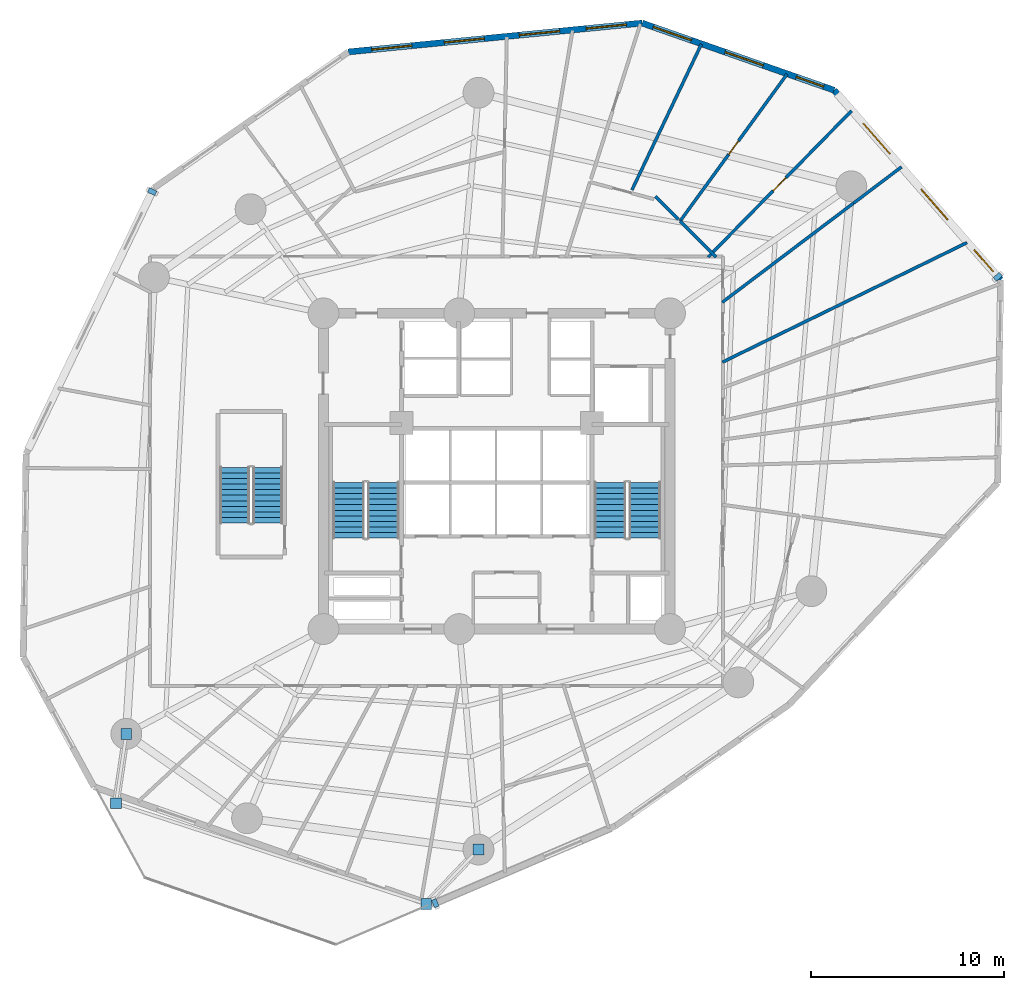
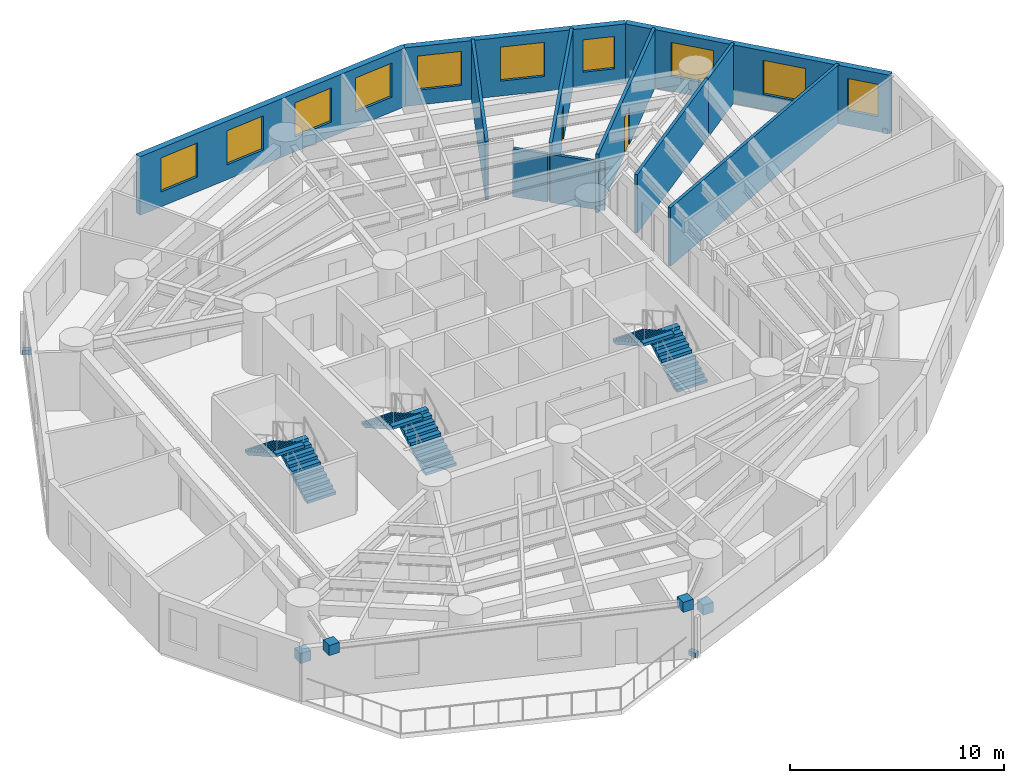
# One storey, part 7 of 11: 11 walls, 10 windows, 7 discrete accessories, 6 stair flights, 2 doors, 12 openings, 3 elements without a shape of their own.
"""IFC4 building model written with IfcOpenShell, lengths in metres."""

from ifc_helpers import new_model, si_unit, direction, frame, frame_2d, origin, origin_with_axes, origin_2d, place, context, subcontext, project, spatial, polyline, rectangle, outline, extrude, source, transform, mapped, material, layer, layer_set, type_object, element, fill, aggregate, save


model = new_model("IFC4")

# Units and contexts
model_context = context("Model", 3, precision=1e-05, world=origin(), true_north=direction((0.0, 1.0)))
body_context = subcontext(model_context, "Body", "Model", "MODEL_VIEW")
ifc_project = project(units=[si_unit("LENGTHUNIT", "METRE"), si_unit("AREAUNIT", "SQUARE_METRE"), si_unit("VOLUMEUNIT", "CUBIC_METRE"), si_unit("PLANEANGLEUNIT", "RADIAN"), si_unit("MASSUNIT", "GRAM", prefix="KILO")], contexts=[model_context])

# Site, building, storey
site_placement = place(None, origin())
site = spatial("IfcSite", under=ifc_project, at=site_placement, CompositionType="ELEMENT")
building_placement = place(site_placement, origin())
building = spatial("IfcBuilding", under=site, at=building_placement, Name="Karkom Vertical University and Central Library", CompositionType="ELEMENT")
storey_placement = place(building_placement, frame((0.0, 0.0, 44.5)))
storey = spatial("IfcBuildingStorey", under=building, at=storey_placement, Name="L11", CompositionType="ELEMENT", Elevation=44.5)

# Wall, openings, windows
ifc_material_1 = material(Name="Brick-faced precast concrete C45/55", Category="masonry")
ifc_layer_1 = layer(ifc_material_1, 0.320068359375)
ifc_layer_set_1 = layer_set([ifc_layer_1], Name="Brick-faced precast concrete C45/55")
wall_type_1 = type_object("IfcWallType", Name="ENV-WL-BRK-320", PredefinedType="SOLIDWALL", material=ifc_layer_set_1)
wall_1_placement = place(storey_placement, frame((54.673095703125, 36.43115234375, 0.0), z_axis=(0.0, 0.0, 1.0), x_axis=(-0.659567357533, 0.751645462221, 0.0)))
wall_1 = element("IfcWall", 1, at=wall_1_placement, inside=storey, type_object=wall_type_1, Name="Level 11 Brick-Faced Precast Facade Wall 09", PredefinedType="SOLIDWALL", context=body_context, shape_type="SweptSolid", body=[
    extrude(rectangle(XDim=13.11669921875, YDim=0.320068359375, at=frame_2d((6.558349609375, 0.0))), origin(), (0.0, 0.0, 1.0), 3.35009765625),
])
opening_1_placement = place(wall_1_placement, frame((0.5888671875, 0.0, 0.85009765625)))
opening_1 = element("IfcOpeningElement", 2, at=opening_1_placement, cuts=wall_1, Name="Opening WN-05", PredefinedType="OPENING", context=body_context, shape_type="SweptSolid", body=[
    extrude(rectangle(XDim=1.5, YDim=1.85009765625, at=frame_2d((0.75, 0.925048828125))), frame((0.0, 0.169921875, 0.0), z_axis=(0.0, -1.0, 0.0), x_axis=(1.0, 0.0, 0.0)), (0.0, 0.0, 1.0), 0.340087890625),
])
opening_2_placement = place(wall_1_placement, frame((4.166015625, 0.0, 0.85009765625)))
opening_2 = element("IfcOpeningElement", 3, at=opening_2_placement, cuts=wall_1, Name="Opening WN-03", PredefinedType="OPENING", context=body_context, shape_type="SweptSolid", body=[
    extrude(rectangle(XDim=2.10009765625, YDim=1.949951171875, at=frame_2d((1.050048828125, 0.97509765625))), frame((0.0, 0.169921875, 0.0), z_axis=(0.0, -1.0, 0.0), x_axis=(1.0, 0.0, 0.0)), (0.0, 0.0, 1.0), 0.340087890625),
])
opening_3_placement = place(wall_1_placement, frame((8.712158203125, 0.0, 0.85009765625)))
opening_3 = element("IfcOpeningElement", 4, at=opening_3_placement, cuts=wall_1, Name="Opening WN-03", PredefinedType="OPENING", context=body_context, shape_type="SweptSolid", body=[
    extrude(rectangle(XDim=2.10009765625, YDim=1.949951171875, at=frame_2d((1.050048828125, 0.97509765625))), frame((0.0, 0.169921875, 0.0), z_axis=(0.0, -1.0, 0.0), x_axis=(1.0, 0.0, 0.0)), (0.0, 0.0, 1.0), 0.340087890625),
])
ifc_material_2 = material(Name="Aluminium thermal-break frame with solar-control IGU", Category="aluminium")
window_type_1 = type_object("IfcWindowType", Name="ENV-WIN-WN-03", PartitioningType="SINGLE_PANEL", PredefinedType="WINDOW", material=ifc_material_2)
shared_shape_1 = source(origin_with_axes(), body_context, "Body", "SweptSolid", [
    extrude(rectangle(XDim=2.10009765625, YDim=1.949951171875, at=frame_2d((1.050048828125, 0.97509765625))), frame((0.0, 0.030029296875, 0.0), z_axis=(0.0, -1.0, 0.0), x_axis=(1.0, 0.0, 0.0)), (0.0, 0.0, 1.0), 0.06005859375),
])
window_1_placement = place(opening_2_placement, origin())
window_1 = element("IfcWindow", 5, at=window_1_placement, inside=storey, type_object=window_type_1, Name="Level 11 Punched Window 9.2", OverallHeight=1.949951171875, OverallWidth=2.10009765625, PartitioningType="SINGLE_PANEL", PredefinedType="WINDOW", context=body_context, shape_type="MappedRepresentation", body=[
    mapped(shared_shape_1, transform((0.0, 0.0, 0.0), scale=1.0)),
])
fill(opening_2, window_1)
window_2_placement = place(opening_3_placement, origin())
window_2 = element("IfcWindow", 6, at=window_2_placement, inside=storey, type_object=window_type_1, Name="Level 11 Punched Window 9.3", OverallHeight=1.949951171875, OverallWidth=2.10009765625, PartitioningType="SINGLE_PANEL", PredefinedType="WINDOW", context=body_context, shape_type="MappedRepresentation", body=[
    mapped(shared_shape_1, transform((0.0, 0.0, 0.0), scale=1.0)),
])
fill(opening_3, window_2)
window_type_2 = type_object("IfcWindowType", Name="ENV-WIN-WN-05", PartitioningType="SINGLE_PANEL", PredefinedType="WINDOW", material=ifc_material_2)
shared_shape_2 = source(origin_with_axes(), body_context, "Body", "SweptSolid", [
    extrude(rectangle(XDim=1.5, YDim=1.85009765625, at=frame_2d((0.75, 0.925048828125))), frame((0.0, 0.030029296875, 0.0), z_axis=(0.0, -1.0, 0.0), x_axis=(1.0, 0.0, 0.0)), (0.0, 0.0, 1.0), 0.06005859375),
])
window_3_placement = place(opening_1_placement, origin())
window_3 = element("IfcWindow", 7, at=window_3_placement, inside=storey, type_object=window_type_2, Name="Level 11 Punched Window 9.1", OverallHeight=1.85009765625, OverallWidth=1.5, PartitioningType="SINGLE_PANEL", PredefinedType="WINDOW", context=body_context, shape_type="MappedRepresentation", body=[
    mapped(shared_shape_2, transform((0.0, 0.0, 0.0), scale=1.0)),
])
fill(opening_1, window_3)

wall_2_placement = place(storey_placement, frame((46.021728515625, 46.290283203125, 0.0), z_axis=(0.0, 0.0, 1.0), x_axis=(-0.943970038145, 0.330031160777, 0.0)))
wall_2 = element("IfcWall", 8, at=wall_2_placement, inside=storey, type_object=wall_type_1, Name="Level 11 Brick-Faced Precast Facade Wall 10", PredefinedType="SOLIDWALL", context=body_context, shape_type="SweptSolid", body=[
    extrude(rectangle(XDim=10.559814453125, YDim=0.320068359375, at=frame_2d((5.27978515625, 0.0))), origin(), (0.0, 0.0, 1.0), 3.35009765625),
])
opening_4_placement = place(wall_2_placement, frame((0.576416015625, 0.0, 0.85009765625)))
opening_4 = element("IfcOpeningElement", 9, at=opening_4_placement, cuts=wall_2, Name="Opening WN-05", PredefinedType="OPENING", context=body_context, shape_type="SweptSolid", body=[
    extrude(rectangle(XDim=1.5, YDim=1.85009765625, at=frame_2d((0.75, 0.925048828125))), frame((0.0, 0.169921875, 0.0), z_axis=(0.0, -1.0, 0.0), x_axis=(1.0, 0.0, 0.0)), (0.0, 0.0, 1.0), 0.340087890625),
])
opening_5_placement = place(wall_2_placement, frame((3.89599609375, 0.0, 0.85009765625)))
opening_5 = element("IfcOpeningElement", 10, at=opening_5_placement, cuts=wall_2, Name="Opening WN-03", PredefinedType="OPENING", context=body_context, shape_type="SweptSolid", body=[
    extrude(rectangle(XDim=2.10009765625, YDim=1.949951171875, at=frame_2d((1.050048828125, 0.97509765625))), frame((0.0, 0.169921875, 0.0), z_axis=(0.0, -1.0, 0.0), x_axis=(1.0, 0.0, 0.0)), (0.0, 0.0, 1.0), 0.340087890625),
])
opening_6_placement = place(wall_2_placement, frame((7.849609375, 0.0, 0.85009765625)))
opening_6 = element("IfcOpeningElement", 11, at=opening_6_placement, cuts=wall_2, Name="Opening WN-03", PredefinedType="OPENING", context=body_context, shape_type="SweptSolid", body=[
    extrude(rectangle(XDim=2.10009765625, YDim=1.949951171875, at=frame_2d((1.050048828125, 0.97509765625))), frame((0.0, 0.169921875, 0.0), z_axis=(0.0, -1.0, 0.0), x_axis=(1.0, 0.0, 0.0)), (0.0, 0.0, 1.0), 0.340087890625),
])
window_4_placement = place(opening_5_placement, origin())
window_4 = element("IfcWindow", 12, at=window_4_placement, inside=storey, type_object=window_type_1, Name="Level 11 Punched Window 10.2", OverallHeight=1.949951171875, OverallWidth=2.10009765625, PartitioningType="SINGLE_PANEL", PredefinedType="WINDOW", context=body_context, shape_type="MappedRepresentation", body=[
    mapped(shared_shape_1, transform((0.0, 0.0, 0.0), scale=1.0)),
])
fill(opening_5, window_4)
window_5_placement = place(opening_6_placement, origin())
window_5 = element("IfcWindow", 13, at=window_5_placement, inside=storey, type_object=window_type_1, Name="Level 11 Punched Window 10.3", OverallHeight=1.949951171875, OverallWidth=2.10009765625, PartitioningType="SINGLE_PANEL", PredefinedType="WINDOW", context=body_context, shape_type="MappedRepresentation", body=[
    mapped(shared_shape_1, transform((0.0, 0.0, 0.0), scale=1.0)),
])
fill(opening_6, window_5)
window_6_placement = place(opening_4_placement, origin())
window_6 = element("IfcWindow", 14, at=window_6_placement, inside=storey, type_object=window_type_2, Name="Level 11 Punched Window 10.1", OverallHeight=1.85009765625, OverallWidth=1.5, PartitioningType="SINGLE_PANEL", PredefinedType="WINDOW", context=body_context, shape_type="MappedRepresentation", body=[
    mapped(shared_shape_2, transform((0.0, 0.0, 0.0), scale=1.0)),
])
fill(opening_4, window_6)

wall_3_placement = place(storey_placement, frame((36.053466796875, 49.775390625, 0.0), z_axis=(0.0, 0.0, 1.0), x_axis=(-0.995220186706, -0.097656438461, 0.0)))
wall_3 = element("IfcWall", 15, at=wall_3_placement, inside=storey, type_object=wall_type_1, Name="Level 11 Brick-Faced Precast Facade Wall 11", PredefinedType="SOLIDWALL", context=body_context, shape_type="SweptSolid", body=[
    extrude(rectangle(XDim=15.33740234375, YDim=0.320068359375, at=frame_2d((7.668701171875, 0.0))), origin(), (0.0, 0.0, 1.0), 3.35009765625),
])
opening_7_placement = place(wall_3_placement, frame((0.828369140625, 0.0, 0.85009765625)))
opening_7 = element("IfcOpeningElement", 16, at=opening_7_placement, cuts=wall_3, Name="Opening WN-03", PredefinedType="OPENING", context=body_context, shape_type="SweptSolid", body=[
    extrude(rectangle(XDim=2.10009765625, YDim=1.949951171875, at=frame_2d((1.050048828125, 0.97509765625))), frame((0.0, 0.169921875, 0.0), z_axis=(0.0, -1.0, 0.0), x_axis=(1.0, 0.0, 0.0)), (0.0, 0.0, 1.0), 0.340087890625),
])
opening_8_placement = place(wall_3_placement, frame((4.30908203125, 0.0, 0.85009765625)))
opening_8 = element("IfcOpeningElement", 17, at=opening_8_placement, cuts=wall_3, Name="Opening WN-03", PredefinedType="OPENING", context=body_context, shape_type="SweptSolid", body=[
    extrude(rectangle(XDim=2.10009765625, YDim=1.949951171875, at=frame_2d((1.050048828125, 0.97509765625))), frame((0.0, 0.169921875, 0.0), z_axis=(0.0, -1.0, 0.0), x_axis=(1.0, 0.0, 0.0)), (0.0, 0.0, 1.0), 0.340087890625),
])
opening_9_placement = place(wall_3_placement, frame((8.23388671875, 0.0, 0.85009765625)))
opening_9 = element("IfcOpeningElement", 18, at=opening_9_placement, cuts=wall_3, Name="Opening WN-03", PredefinedType="OPENING", context=body_context, shape_type="SweptSolid", body=[
    extrude(rectangle(XDim=2.10009765625, YDim=1.949951171875, at=frame_2d((1.050048828125, 0.97509765625))), frame((0.0, 0.169921875, 0.0), z_axis=(0.0, -1.0, 0.0), x_axis=(1.0, 0.0, 0.0)), (0.0, 0.0, 1.0), 0.340087890625),
])
opening_10_placement = place(wall_3_placement, frame((12.01611328125, 0.0, 0.85009765625)))
opening_10 = element("IfcOpeningElement", 19, at=opening_10_placement, cuts=wall_3, Name="Opening WN-03", PredefinedType="OPENING", context=body_context, shape_type="SweptSolid", body=[
    extrude(rectangle(XDim=2.10009765625, YDim=1.949951171875, at=frame_2d((1.050048828125, 0.97509765625))), frame((0.0, 0.169921875, 0.0), z_axis=(0.0, -1.0, 0.0), x_axis=(1.0, 0.0, 0.0)), (0.0, 0.0, 1.0), 0.340087890625),
])
window_7_placement = place(opening_7_placement, origin())
window_7 = element("IfcWindow", 20, at=window_7_placement, inside=storey, type_object=window_type_1, Name="Level 11 Punched Window 11.1", OverallHeight=1.949951171875, OverallWidth=2.10009765625, PartitioningType="SINGLE_PANEL", PredefinedType="WINDOW", context=body_context, shape_type="MappedRepresentation", body=[
    mapped(shared_shape_1, transform((0.0, 0.0, 0.0), scale=1.0)),
])
fill(opening_7, window_7)
window_8_placement = place(opening_8_placement, origin())
window_8 = element("IfcWindow", 21, at=window_8_placement, inside=storey, type_object=window_type_1, Name="Level 11 Punched Window 11.2", OverallHeight=1.949951171875, OverallWidth=2.10009765625, PartitioningType="SINGLE_PANEL", PredefinedType="WINDOW", context=body_context, shape_type="MappedRepresentation", body=[
    mapped(shared_shape_1, transform((0.0, 0.0, 0.0), scale=1.0)),
])
fill(opening_8, window_8)
window_9_placement = place(opening_9_placement, origin())
window_9 = element("IfcWindow", 22, at=window_9_placement, inside=storey, type_object=window_type_1, Name="Level 11 Punched Window 11.3", OverallHeight=1.949951171875, OverallWidth=2.10009765625, PartitioningType="SINGLE_PANEL", PredefinedType="WINDOW", context=body_context, shape_type="MappedRepresentation", body=[
    mapped(shared_shape_1, transform((0.0, 0.0, 0.0), scale=1.0)),
])
fill(opening_9, window_9)
window_10_placement = place(opening_10_placement, origin())
window_10 = element("IfcWindow", 23, at=window_10_placement, inside=storey, type_object=window_type_1, Name="Level 11 Punched Window 11.4", OverallHeight=1.949951171875, OverallWidth=2.10009765625, PartitioningType="SINGLE_PANEL", PredefinedType="WINDOW", context=body_context, shape_type="MappedRepresentation", body=[
    mapped(shared_shape_1, transform((0.0, 0.0, 0.0), scale=1.0)),
])
fill(opening_10, window_10)

# Wall
ifc_material_3 = material(Name="Insulated metal-stud drywall 160mm", Category="gypsum")
ifc_layer_2 = layer(ifc_material_3, 0.159912109375)
ifc_layer_set_2 = layer_set([ifc_layer_2], Name="Insulated metal-stud drywall 160mm")
wall_type_2 = type_object("IfcWallType", Name="INT-WL-COR-160", PredefinedType="PARTITIONING", material=ifc_layer_set_2)
wall_4_placement = place(storey_placement, frame((40.222900390625, 32.16259765625, 0.0), z_axis=(0.0, 0.0, 1.0), x_axis=(0.898436111138, 0.439104263477, 0.0)))
element("IfcWall", 24, at=wall_4_placement, inside=storey, type_object=wall_type_2, Name="Level 11 Interior Partition Wall L11-PW-022", PredefinedType="PARTITIONING", context=body_context, shape_type="SweptSolid", body=[
    extrude(rectangle(XDim=14.145751953125, YDim=0.159912109375, at=frame_2d((7.07275390625, 0.0))), origin(), (0.0, 0.0, 1.0), 3.35009765625),
])

# Wall, opening, door
wall_5_placement = place(storey_placement, frame((39.4794921875, 37.617919921875, 0.0), z_axis=(0.0, 0.0, 1.0), x_axis=(0.699936539368, 0.714205041187, 0.0)))
wall_5 = element("IfcWall", 25, at=wall_5_placement, inside=storey, type_object=wall_type_2, Name="Level 11 Interior Partition Wall L11-PW-025", PredefinedType="PARTITIONING", context=body_context, shape_type="SweptSolid", body=[
    extrude(rectangle(XDim=10.642822265625, YDim=0.159912109375, at=frame_2d((5.3212890625, 0.0))), origin(), (0.0, 0.0, 1.0), 3.35009765625),
])
opening_11_placement = place(wall_5_placement, frame((4.8212890625, 0.0, 0.0)))
opening_11 = element("IfcOpeningElement", 26, at=opening_11_placement, cuts=wall_5, Name="Opening D-RM1", PredefinedType="OPENING", context=body_context, shape_type="SweptSolid", body=[
    extrude(rectangle(XDim=0.949951171875, YDim=2.14990234375, at=frame_2d((0.47509765625, 1.074951171875))), frame((0.0, 0.08984375, 0.0), z_axis=(0.0, -1.0, 0.0), x_axis=(1.0, 0.0, 0.0)), (0.0, 0.0, 1.0), 0.179931640625),
])
ifc_material_4 = material(Name="Solid-core oak veneer door", Category="wood")
door_type_1 = type_object("IfcDoorType", Name="INT-DR-RM1", OperationType="NOTDEFINED", PredefinedType="DOOR", material=ifc_material_4)
shared_shape_3 = source(origin_with_axes(), body_context, "Body", "SweptSolid", [
    extrude(rectangle(XDim=0.949951171875, YDim=2.14990234375, at=frame_2d((0.47509765625, 1.074951171875))), frame((0.0, 0.02490234375, 0.0), z_axis=(0.0, -1.0, 0.0), x_axis=(1.0, 0.0, 0.0)), (0.0, 0.0, 1.0), 0.050048828125),
])
door_1_placement = place(opening_11_placement, origin())
door_1 = element("IfcDoor", 27, at=door_1_placement, inside=storey, type_object=door_type_1, Name="Level 11 Room Entry Door 200", OperationType="SINGLE_SWING_RIGHT", OverallHeight=2.14990234375, OverallWidth=0.949951171875, PredefinedType="DOOR", context=body_context, shape_type="MappedRepresentation", body=[
    mapped(shared_shape_3, transform((0.0, 0.0, 0.0), scale=1.0)),
])
fill(opening_11, door_1)

wall_6_placement = place(storey_placement, frame((38.025634765625, 39.490234375, 0.0), z_axis=(0.0, 0.0, 1.0), x_axis=(0.588360998561, 0.808598377053, 0.0)))
wall_6 = element("IfcWall", 28, at=wall_6_placement, inside=storey, type_object=wall_type_2, Name="Level 11 Interior Partition Wall L11-PW-026", PredefinedType="PARTITIONING", context=body_context, shape_type="SweptSolid", body=[
    extrude(rectangle(XDim=9.431396484375, YDim=0.159912109375, at=frame_2d((4.7158203125, 0.0))), origin(), (0.0, 0.0, 1.0), 3.35009765625),
])
opening_12_placement = place(wall_6_placement, frame((4.28564453125, 0.0, 0.0)))
opening_12 = element("IfcOpeningElement", 29, at=opening_12_placement, cuts=wall_6, Name="Opening FD-BTH2", PredefinedType="OPENING", context=body_context, shape_type="SweptSolid", body=[
    extrude(rectangle(XDim=0.860107421875, YDim=2.0400390625, at=frame_2d((0.43017578125, 1.02001953125))), frame((0.0, 0.08984375, 0.0), z_axis=(0.0, -1.0, 0.0), x_axis=(1.0, 0.0, 0.0)), (0.0, 0.0, 1.0), 0.179931640625),
])
ifc_material_5 = material(Name="Fire-rated moisture-resistant oak door", Category="wood")
door_type_2 = type_object("IfcDoorType", Name="INT-DR-FBTH2", OperationType="NOTDEFINED", PredefinedType="DOOR", material=ifc_material_5)
shared_shape_4 = source(origin_with_axes(), body_context, "Body", "SweptSolid", [
    extrude(rectangle(XDim=0.860107421875, YDim=2.0400390625, at=frame_2d((0.43017578125, 1.02001953125))), frame((0.0, 0.02490234375, 0.0), z_axis=(0.0, -1.0, 0.0), x_axis=(1.0, 0.0, 0.0)), (0.0, 0.0, 1.0), 0.050048828125),
])
door_2_placement = place(opening_12_placement, origin())
door_2 = element("IfcDoor", 30, at=door_2_placement, inside=storey, type_object=door_type_2, Name="Level 11 Faculty Consultation and Research Office Entry Door", OperationType="SINGLE_SWING_RIGHT", OverallHeight=2.0400390625, OverallWidth=0.860107421875, PredefinedType="DOOR", context=body_context, shape_type="MappedRepresentation", body=[
    mapped(shared_shape_4, transform((0.0, 0.0, 0.0), scale=1.0)),
])
fill(opening_12, door_2)

# Walls
wall_7_placement = place(storey_placement, frame((40.214111328125, 35.271484375, 0.0), z_axis=(0.0, 0.0, 1.0), x_axis=(0.797987752762, 0.602673664965, 0.0)))
element("IfcWall", 31, at=wall_7_placement, inside=storey, type_object=wall_type_2, Name="Level 11 Interior Partition Wall L11-PW-023", PredefinedType="PARTITIONING", context=body_context, shape_type="SweptSolid", body=[
    extrude(rectangle(XDim=8.5361328125, YDim=0.159912109375, at=frame_2d((4.26806640625, 0.0))), origin(), (0.0, 0.0, 1.0), 3.35009765625),
])
wall_8_placement = place(storey_placement, frame((35.520263671875, 41.101806640625, 0.0), z_axis=(0.0, 0.0, 1.0), x_axis=(0.429957308005, 0.902849219578, 0.0)))
element("IfcWall", 32, at=wall_8_placement, inside=storey, type_object=wall_type_2, Name="Level 11 Interior Partition Wall L11-PW-030", PredefinedType="PARTITIONING", context=body_context, shape_type="SweptSolid", body=[
    extrude(rectangle(XDim=8.387451171875, YDim=0.159912109375, at=frame_2d((4.19384765625, 0.0))), origin(), (0.0, 0.0, 1.0), 3.35009765625),
])
wall_9_placement = place(storey_placement, frame((39.897705078125, 37.6181640625, 0.0), z_axis=(0.0, 0.0, 1.0), x_axis=(-0.707106781187, 0.707106781187, 0.0)))
element("IfcWall", 33, at=wall_9_placement, inside=storey, type_object=wall_type_2, Name="Level 11 Interior Partition Wall L11-PW-027", PredefinedType="PARTITIONING", context=body_context, shape_type="SweptSolid", body=[
    extrude(rectangle(XDim=2.6474609375, YDim=0.159912109375, at=frame_2d((1.32373046875, 0.0))), origin(), (0.0, 0.0, 1.0), 2.75),
])
wall_10_placement = place(storey_placement, frame((47.02978515625, 40.4189453125, 0.0), z_axis=(0.0, 0.0, 1.0), x_axis=(0.798019150984, 0.602632088975, 0.0)))
element("IfcWall", 34, at=wall_10_placement, inside=storey, type_object=wall_type_2, Name="Level 11 Interior Partition Wall L11-PW-024", PredefinedType="PARTITIONING", context=body_context, shape_type="SweptSolid", body=[
    extrude(rectangle(XDim=3.12744140625, YDim=0.159912109375, at=frame_2d((1.563720703125, 0.0))), origin(), (0.0, 0.0, 1.0), 3.35009765625),
])
wall_11_placement = place(storey_placement, frame((37.93994140625, 39.576171875, 0.0), z_axis=(0.0, 0.0, 1.0), x_axis=(-0.707106781187, 0.707106781187, 0.0)))
element("IfcWall", 35, at=wall_11_placement, inside=storey, type_object=wall_type_2, Name="Level 11 Interior Partition Wall L11-PW-029", PredefinedType="PARTITIONING", context=body_context, shape_type="SweptSolid", body=[
    extrude(rectangle(XDim=1.69482421875, YDim=0.159912109375, at=frame_2d((0.847412109375, 0.0))), origin(), (0.0, 0.0, 1.0), 2.75),
])

# Stair, stair flights
ifc_material_6 = material(Name="Concrete C45/55", Category="concrete")
stair_type_1 = type_object("IfcStairType", Name="INT-STR-ST-MAIN", PredefinedType="HALF_TURN_STAIR", material=ifc_material_6)
stair_1_placement = place(storey_placement, origin())
stair_1 = element("IfcStair", 36, at=stair_1_placement, inside=storey, type_object=stair_type_1, Name="Level 11 Tower Protected Exit Stair ST-1", PredefinedType="HALF_TURN_STAIR")
stair_flight_type_1 = type_object("IfcStairFlightType", Name="INT-SFL-ST-MAIN", PredefinedType="STRAIGHT", material=ifc_material_6)
stair_flight_1_placement = place(storey_placement, frame((22.614990234375, 23.02001953125, 0.0), z_axis=(0.0, 0.0, 1.0), x_axis=(0.0, 1.0, 0.0)))
stair_flight_1 = element("IfcStairFlight", 37, at=stair_flight_1_placement, type_object=stair_flight_type_1, Name="ST-1 flight 1", NumberOfRisers=11, NumberOfTreads=10, PredefinedType="STRAIGHT", RiserHeight=0.163636364, TreadLength=0.29, context=body_context, shape_type="SweptSolid", body=[
    extrude(outline(polyline([(0.0, 0.0), (0.0, 0.16357421875), (0.2900390625, 0.16357421875), (0.2900390625, 0.327392578125), (0.580078125, 0.327392578125), (0.580078125, 0.490966796875), (0.8701171875, 0.490966796875), (0.8701171875, 0.654541015625), (1.159912109375, 0.654541015625), (1.159912109375, 0.818115234375), (1.449951171875, 0.818115234375), (1.449951171875, 0.98193359375), (1.739990234375, 0.98193359375), (1.739990234375, 1.1455078125), (2.030029296875, 1.1455078125), (2.030029296875, 1.30908203125), (2.320068359375, 1.30908203125), (2.320068359375, 1.47265625), (2.610107421875, 1.47265625), (2.610107421875, 1.636474609375), (2.89990234375, 1.636474609375), (2.89990234375, 1.800048828125), (2.89990234375, 1.46435546875), (0.304931640625, 0.0), (0.0, 0.0)])), frame((0.0, 0.824951171875, 0.0), z_axis=(0.0, -1.0, 0.0), x_axis=(1.0, 0.0, 0.0)), (0.0, 0.0, 1.0), 1.64990234375),
])
stair_flight_2_placement = place(storey_placement, frame((20.804931640625, 25.919921875, 1.800048828125), z_axis=(0.0, 0.0, 1.0), x_axis=(0.0, -1.0, 0.0)))
stair_flight_2 = element("IfcStairFlight", 38, at=stair_flight_2_placement, type_object=stair_flight_type_1, Name="ST-1 flight 2", NumberOfRisers=11, NumberOfTreads=10, PredefinedType="STRAIGHT", RiserHeight=0.163636364, TreadLength=0.29, context=body_context, shape_type="SweptSolid", body=[
    extrude(outline(polyline([(0.0, 0.0), (0.0, 0.16357421875), (0.2900390625, 0.16357421875), (0.2900390625, 0.327392578125), (0.580078125, 0.327392578125), (0.580078125, 0.490966796875), (0.8701171875, 0.490966796875), (0.8701171875, 0.654541015625), (1.159912109375, 0.654541015625), (1.159912109375, 0.818115234375), (1.449951171875, 0.818115234375), (1.449951171875, 0.98193359375), (1.739990234375, 0.98193359375), (1.739990234375, 1.1455078125), (2.030029296875, 1.1455078125), (2.030029296875, 1.30908203125), (2.320068359375, 1.30908203125), (2.320068359375, 1.47265625), (2.610107421875, 1.47265625), (2.610107421875, 1.636474609375), (2.89990234375, 1.636474609375), (2.89990234375, 1.800048828125), (2.89990234375, 1.46435546875), (0.304931640625, 0.0), (0.0, 0.0)])), frame((0.0, 0.824951171875, 0.0), z_axis=(0.0, -1.0, 0.0), x_axis=(1.0, 0.0, 0.0)), (0.0, 0.0, 1.0), 1.64990234375),
])
aggregate(stair_1, [stair_flight_1, stair_flight_2])

stair_2_placement = place(storey_placement, origin())
stair_2 = element("IfcStair", 39, at=stair_2_placement, inside=storey, type_object=stair_type_1, Name="Level 11 Tower Protected Exit Stair ST-2", PredefinedType="HALF_TURN_STAIR")
stair_flight_3_placement = place(storey_placement, frame((36.195068359375, 23.02001953125, 0.0), z_axis=(0.0, 0.0, 1.0), x_axis=(0.0, 1.0, 0.0)))
stair_flight_3 = element("IfcStairFlight", 40, at=stair_flight_3_placement, type_object=stair_flight_type_1, Name="ST-2 flight 1", NumberOfRisers=11, NumberOfTreads=10, PredefinedType="STRAIGHT", RiserHeight=0.163636364, TreadLength=0.29, context=body_context, shape_type="SweptSolid", body=[
    extrude(outline(polyline([(0.0, 0.0), (0.0, 0.16357421875), (0.2900390625, 0.16357421875), (0.2900390625, 0.327392578125), (0.580078125, 0.327392578125), (0.580078125, 0.490966796875), (0.8701171875, 0.490966796875), (0.8701171875, 0.654541015625), (1.159912109375, 0.654541015625), (1.159912109375, 0.818115234375), (1.449951171875, 0.818115234375), (1.449951171875, 0.98193359375), (1.739990234375, 0.98193359375), (1.739990234375, 1.1455078125), (2.030029296875, 1.1455078125), (2.030029296875, 1.30908203125), (2.320068359375, 1.30908203125), (2.320068359375, 1.47265625), (2.610107421875, 1.47265625), (2.610107421875, 1.636474609375), (2.89990234375, 1.636474609375), (2.89990234375, 1.800048828125), (2.89990234375, 1.46435546875), (0.304931640625, 0.0), (0.0, 0.0)])), frame((0.0, 0.824951171875, 0.0), z_axis=(0.0, -1.0, 0.0), x_axis=(1.0, 0.0, 0.0)), (0.0, 0.0, 1.0), 1.64990234375),
])
stair_flight_4_placement = place(storey_placement, frame((34.385009765625, 25.919921875, 1.800048828125), z_axis=(0.0, 0.0, 1.0), x_axis=(0.0, -1.0, 0.0)))
stair_flight_4 = element("IfcStairFlight", 41, at=stair_flight_4_placement, type_object=stair_flight_type_1, Name="ST-2 flight 2", NumberOfRisers=11, NumberOfTreads=10, PredefinedType="STRAIGHT", RiserHeight=0.163636364, TreadLength=0.29, context=body_context, shape_type="SweptSolid", body=[
    extrude(outline(polyline([(0.0, 0.0), (0.0, 0.16357421875), (0.2900390625, 0.16357421875), (0.2900390625, 0.327392578125), (0.580078125, 0.327392578125), (0.580078125, 0.490966796875), (0.8701171875, 0.490966796875), (0.8701171875, 0.654541015625), (1.159912109375, 0.654541015625), (1.159912109375, 0.818115234375), (1.449951171875, 0.818115234375), (1.449951171875, 0.98193359375), (1.739990234375, 0.98193359375), (1.739990234375, 1.1455078125), (2.030029296875, 1.1455078125), (2.030029296875, 1.30908203125), (2.320068359375, 1.30908203125), (2.320068359375, 1.47265625), (2.610107421875, 1.47265625), (2.610107421875, 1.636474609375), (2.89990234375, 1.636474609375), (2.89990234375, 1.800048828125), (2.89990234375, 1.46435546875), (0.304931640625, 0.0), (0.0, 0.0)])), frame((0.0, 0.824951171875, 0.0), z_axis=(0.0, -1.0, 0.0), x_axis=(1.0, 0.0, 0.0)), (0.0, 0.0, 1.0), 1.64990234375),
])
aggregate(stair_2, [stair_flight_3, stair_flight_4])

stair_type_2 = type_object("IfcStairType", Name="INT-STR-ST-SEC", PredefinedType="HALF_TURN_STAIR", material=ifc_material_6)
stair_3_placement = place(storey_placement, origin())
stair_3 = element("IfcStair", 42, at=stair_3_placement, inside=storey, type_object=stair_type_2, Name="Level 11 Academic Zone Protected Exit Stair ST-3", PredefinedType="HALF_TURN_STAIR")
stair_flight_type_2 = type_object("IfcStairFlightType", Name="INT-SFL-ST-SEC", PredefinedType="STRAIGHT", material=ifc_material_6)
stair_flight_5_placement = place(storey_placement, frame((16.60498046875, 23.800048828125, 0.0), z_axis=(0.0, 0.0, 1.0), x_axis=(0.0, 1.0, 0.0)))
stair_flight_5 = element("IfcStairFlight", 43, at=stair_flight_5_placement, type_object=stair_flight_type_2, Name="ST-3 flight 1", NumberOfRisers=11, NumberOfTreads=10, PredefinedType="STRAIGHT", RiserHeight=0.163636364, TreadLength=0.29, context=body_context, shape_type="SweptSolid", body=[
    extrude(outline(polyline([(0.0, 0.0), (0.0, 0.16357421875), (0.2900390625, 0.16357421875), (0.2900390625, 0.327392578125), (0.580078125, 0.327392578125), (0.580078125, 0.490966796875), (0.8701171875, 0.490966796875), (0.8701171875, 0.654541015625), (1.159912109375, 0.654541015625), (1.159912109375, 0.818115234375), (1.449951171875, 0.818115234375), (1.449951171875, 0.98193359375), (1.739990234375, 0.98193359375), (1.739990234375, 1.1455078125), (2.030029296875, 1.1455078125), (2.030029296875, 1.30908203125), (2.320068359375, 1.30908203125), (2.320068359375, 1.47265625), (2.610107421875, 1.47265625), (2.610107421875, 1.636474609375), (2.89990234375, 1.636474609375), (2.89990234375, 1.800048828125), (2.89990234375, 1.46435546875), (0.304931640625, 0.0), (0.0, 0.0)])), frame((0.0, 0.77490234375, 0.0), z_axis=(0.0, -1.0, 0.0), x_axis=(1.0, 0.0, 0.0)), (0.0, 0.0, 1.0), 1.550048828125),
])
stair_flight_6_placement = place(storey_placement, frame((14.89501953125, 26.699951171875, 1.800048828125), z_axis=(0.0, 0.0, 1.0), x_axis=(0.0, -1.0, 0.0)))
stair_flight_6 = element("IfcStairFlight", 44, at=stair_flight_6_placement, type_object=stair_flight_type_2, Name="ST-3 flight 2", NumberOfRisers=11, NumberOfTreads=10, PredefinedType="STRAIGHT", RiserHeight=0.163636364, TreadLength=0.29, context=body_context, shape_type="SweptSolid", body=[
    extrude(outline(polyline([(0.0, 0.0), (0.0, 0.16357421875), (0.2900390625, 0.16357421875), (0.2900390625, 0.327392578125), (0.580078125, 0.327392578125), (0.580078125, 0.490966796875), (0.8701171875, 0.490966796875), (0.8701171875, 0.654541015625), (1.159912109375, 0.654541015625), (1.159912109375, 0.818115234375), (1.449951171875, 0.818115234375), (1.449951171875, 0.98193359375), (1.739990234375, 0.98193359375), (1.739990234375, 1.1455078125), (2.030029296875, 1.1455078125), (2.030029296875, 1.30908203125), (2.320068359375, 1.30908203125), (2.320068359375, 1.47265625), (2.610107421875, 1.47265625), (2.610107421875, 1.636474609375), (2.89990234375, 1.636474609375), (2.89990234375, 1.800048828125), (2.89990234375, 1.46435546875), (0.304931640625, 0.0), (0.0, 0.0)])), frame((0.0, 0.77490234375, 0.0), z_axis=(0.0, -1.0, 0.0), x_axis=(1.0, 0.0, 0.0)), (0.0, 0.0, 1.0), 1.550048828125),
])
aggregate(stair_3, [stair_flight_5, stair_flight_6])

# Discrete accessories
ifc_material_7 = material(Name="Ductile cast iron EN-GJS-400-15", Category="metal")
discrete_accessory_type_1 = type_object("IfcDiscreteAccessoryType", Name="STR-ACC-NODECAP", PredefinedType="BRACKET", material=ifc_material_7)
shared_shape_5 = source(origin_with_axes(), body_context, "Body", "SweptSolid", [
    extrude(rectangle(XDim=0.56005859375, YDim=0.56005859375, at=origin_2d()), origin(), (0.0, 0.0, 1.0), 0.580078125),
])
for number, where, z_axis, x_axis, name in (
    (45, (9.258056640625, 12.85400390625, 0.06005859375), (0.0, 0.0, 1.0), (1.0, 0.0, 0.0), "Level 11 Cast Node Connector L11-SKG-KNEE-1 A"),
    (46, (8.720703125, 9.253662109375, 2.89501953125), (0.0, 0.0, 1.0), (1.0, 0.0, 0.0), "Level 11 Cast Node Connector L11-SKG-KNEE-1 B"),
    (47, (27.552001953125, 6.843994140625, 0.06005859375), (0.0, 0.0, 1.0), (1.0, 0.0, 0.0), "Level 11 Cast Node Connector L11-SKG-KNEE-2 A"),
    (48, (24.83935546875, 4.015625, 2.89501953125), (0.0, 0.0, 1.0), (1.0, 0.0, 0.0), "Level 11 Cast Node Connector L11-SKG-KNEE-2 B"),
):
    element("IfcDiscreteAccessory", number, at=place(storey_placement, frame(where, z_axis=z_axis, x_axis=x_axis)), inside=storey, type_object=discrete_accessory_type_1, Name=name, PredefinedType="BRACKET", context=body_context, shape_type="MappedRepresentation", body=[
        mapped(shared_shape_5, transform((0.0, 0.0, 0.0), scale=1.0)),
    ])
ifc_material_8 = material(Name="Austenitic stainless steel 316", Category="steel")
discrete_accessory_type_2 = type_object("IfcDiscreteAccessoryType", Name="INT-ACC-BRACKET", PredefinedType="BRACKET", material=ifc_material_8)
shared_shape_6 = source(origin_with_axes(), body_context, "Body", "SweptSolid", [
    extrude(rectangle(XDim=0.260009765625, YDim=0.419921875, at=origin_2d()), origin(), (0.0, 0.0, 1.0), 0.260009765625),
])
for number, where, z_axis, x_axis, name in (
    (49, (10.59814453125, 41.0205078125, 0.0), (0.0, 0.0, 1.0), (-0.433501810375, -0.901152695386, 0.0), "Level 11 Sun-Breaker Stainless Corbel Bracket 04"),
    (50, (25.306396484375, 4.062255859375, 0.0), (0.0, 0.0, 1.0), (0.9194787684, 0.393139662794, 0.0), "Level 11 Sun-Breaker Stainless Corbel Bracket 05"),
    (51, (54.52783203125, 36.5966796875, 0.0), (0.0, 0.0, 1.0), (-0.659608216527, 0.751609606571, 0.0), "Level 11 Sun-Breaker Stainless Corbel Bracket 06"),
):
    element("IfcDiscreteAccessory", number, at=place(storey_placement, frame(where, z_axis=z_axis, x_axis=x_axis)), inside=storey, type_object=discrete_accessory_type_2, Name=name, PredefinedType="BRACKET", context=body_context, shape_type="MappedRepresentation", body=[
        mapped(shared_shape_6, transform((0.0, 0.0, 0.0), scale=1.0)),
    ])

save(model, "model.ifc")
